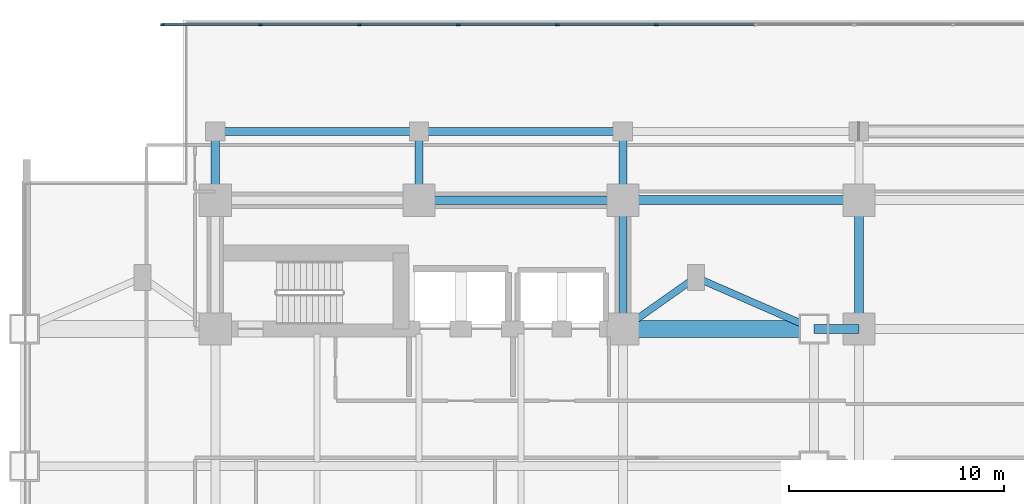
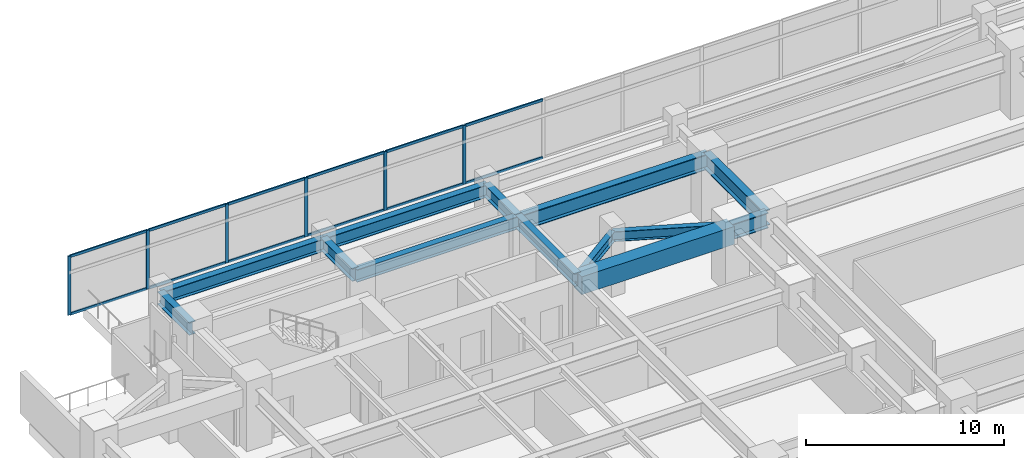
# One storey, part 6 of 27: 18 members, 13 beams, 1 element without a shape of its own.
"""IFC4 building model written with IfcOpenShell, lengths in metres."""

from ifc_helpers import new_model, si_unit, direction, frame, origin, origin_2d, place, context, subcontext, project, spatial, rectangle, i_section, extrude, material, material_profile, profile_set, type_object, element, aggregate, save


model = new_model("IFC4")

# Units and contexts
model_context = context("Model", 3, precision=1e-05, world=origin(), true_north=direction((0.0, 1.0)))
body_context = subcontext(model_context, "Body", "Model", "MODEL_VIEW")
ifc_project = project(units=[si_unit("LENGTHUNIT", "METRE"), si_unit("AREAUNIT", "SQUARE_METRE"), si_unit("VOLUMEUNIT", "CUBIC_METRE"), si_unit("PLANEANGLEUNIT", "RADIAN"), si_unit("MASSUNIT", "GRAM", prefix="KILO")], contexts=[model_context])

# Site, building, storey
site_placement = place(None, origin())
site = spatial("IfcSite", under=ifc_project, at=site_placement, CompositionType="ELEMENT")
building_placement = place(site_placement, origin())
building = spatial("IfcBuilding", under=site, at=building_placement, Name="Mirazonda Arch Towers", CompositionType="ELEMENT")
storey_placement = place(building_placement, frame((0.0, 0.0, 18.10009765625)))
storey = spatial("IfcBuildingStorey", under=building, at=storey_placement, Name="L04", CompositionType="ELEMENT", Elevation=18.10009765625)

# Beams
ifc_material_1 = material(Name="Steel ASTM A992 Grade 50", Category="steel")
ifc_material_profile_1 = material_profile(ifc_material_1, i_section(OverallWidth=0.381103515625, OverallDepth=0.77294921875, WebThickness=0.0166015625, FlangeThickness=0.027099609375, at=origin_2d()), Name="W30X173")
ifc_profile_set_1 = profile_set([ifc_material_profile_1], Name="Steel ASTM A992 Grade 50")
beam_type_1 = type_object("IfcBeamType", Name="BM-EXT-W30X173", PredefinedType="USERDEFINED", material=ifc_profile_set_1)
for number, where, z_axis, x_axis, name in (
    (1, (11.0, 46.800048828125, 3.263427734375), (1.0, 0.0, 0.0), (0.0, 1.0, 0.0), "L04 Floor Beam BM-POD-L04-PN-1"),
    (2, (20.5, 46.800048828125, 3.263427734375), (1.0, 0.0, 0.0), (0.0, 1.0, 0.0), "L04 Floor Beam BM-POD-L04-PN-2"),
):
    element("IfcBeam", number, at=place(storey_placement, frame(where, z_axis=z_axis, x_axis=x_axis)), inside=storey, type_object=beam_type_1, Name=name, ObjectType="GIRDER", PredefinedType="USERDEFINED", context=body_context, shape_type="SweptSolid", body=[
        extrude(i_section(OverallWidth=0.381103515625, OverallDepth=0.77294921875, WebThickness=0.0166015625, FlangeThickness=0.027099609375, at=origin_2d()), origin(), (0.0, 0.0, 1.0), 9.5),
    ])
ifc_material_profile_2 = material_profile(ifc_material_1, i_section(OverallWidth=0.423095703125, OverallDepth=0.947998046875, WebThickness=0.02392578125, FlangeThickness=0.042724609375, at=origin_2d()), Name="W36X302")
ifc_profile_set_2 = profile_set([ifc_material_profile_2], Name="Steel ASTM A992 Grade 50")
beam_type_2 = type_object("IfcBeamType", Name="BM-EXT-W36X302", PredefinedType="USERDEFINED", material=ifc_profile_set_2)
beam_1_placement = place(storey_placement, frame((41.0, 37.60009765625, 3.17578125), z_axis=(0.0, 1.0, 0.0), x_axis=(-1.0, 0.0, 0.0)))
element("IfcBeam", 3, at=beam_1_placement, inside=storey, type_object=beam_type_2, Name="L04 Floor Beam BM-POD-L04-PA-WL3", ObjectType="GIRDER", PredefinedType="USERDEFINED", context=body_context, shape_type="SweptSolid", body=[
    extrude(i_section(OverallWidth=0.423095703125, OverallDepth=0.947998046875, WebThickness=0.02392578125, FlangeThickness=0.042724609375, at=origin_2d()), origin(), (0.0, 0.0, 1.0), 6.0),
])
ifc_material_profile_3 = material_profile(ifc_material_1, i_section(OverallWidth=0.324951171875, OverallDepth=0.615966796875, WebThickness=0.013916015625, FlangeThickness=0.021484375, at=origin_2d()), Name="W24X117")
ifc_profile_set_3 = profile_set([ifc_material_profile_3], Name="Steel ASTM A992 Grade 50")
beam_type_3 = type_object("IfcBeamType", Name="BM-INT-W24X117", PredefinedType="BEAM", material=ifc_profile_set_3)
beam_2_placement = place(storey_placement, frame((33.39990234375, 40.0, 3.341796875), z_axis=(-0.816971114901, -0.576678591087, 0.0), x_axis=(0.576678591087, -0.816971114901, 0.0)))
element("IfcBeam", 4, at=beam_2_placement, inside=storey, type_object=beam_type_3, Name="L04 Floor Beam BM-T1-L04-PL-NE1", PredefinedType="BEAM", context=body_context, shape_type="SweptSolid", body=[
    extrude(i_section(OverallWidth=0.324951171875, OverallDepth=0.615966796875, WebThickness=0.013916015625, FlangeThickness=0.021484375, at=origin_2d()), origin(), (0.0, 0.0, 1.0), 4.16162109375),
])
beam_3_placement = place(storey_placement, frame((33.39990234375, 40.0, 3.341796875), z_axis=(0.916545343703, -0.399930785183, 0.0), x_axis=(0.399930785183, 0.916545343703, 0.0)))
element("IfcBeam", 5, at=beam_3_placement, inside=storey, type_object=beam_type_3, Name="L04 Floor Beam BM-T1-L04-PL-NE2", PredefinedType="BEAM", context=body_context, shape_type="SweptSolid", body=[
    extrude(i_section(OverallWidth=0.324951171875, OverallDepth=0.615966796875, WebThickness=0.013916015625, FlangeThickness=0.021484375, at=origin_2d()), origin(), (0.0, 0.0, 1.0), 6.000732421875),
])
ifc_material_profile_4 = material_profile(ifc_material_1, i_section(OverallWidth=0.381103515625, OverallDepth=0.77294921875, WebThickness=0.0166015625, FlangeThickness=0.027099609375, at=origin_2d()), Name="W30X173")
ifc_profile_set_4 = profile_set([ifc_material_profile_4], Name="Steel ASTM A992 Grade 50")
beam_type_4 = type_object("IfcBeamType", Name="BM-INT-W30X173", PredefinedType="USERDEFINED", material=ifc_profile_set_4)
beam_4_placement = place(storey_placement, frame((20.5, 43.60009765625, 3.263427734375), z_axis=(1.0, 0.0, 0.0), x_axis=(0.0, 1.0, 0.0)))
element("IfcBeam", 6, at=beam_4_placement, inside=storey, type_object=beam_type_4, Name="L04 Floor Beam BM-T1-L04-CN2", ObjectType="GIRDER", PredefinedType="USERDEFINED", context=body_context, shape_type="SweptSolid", body=[
    extrude(i_section(OverallWidth=0.381103515625, OverallDepth=0.77294921875, WebThickness=0.0166015625, FlangeThickness=0.027099609375, at=origin_2d()), origin(), (0.0, 0.0, 1.0), 9.5),
])
beam_5_placement = place(storey_placement, frame((30.0, 37.60009765625, 3.263427734375), z_axis=(0.0, 1.0, 0.0), x_axis=(-1.0, 0.0, 0.0)))
element("IfcBeam", 7, at=beam_5_placement, inside=storey, type_object=beam_type_4, Name="L04 Floor Beam BM-T1-L04-CNE", ObjectType="GIRDER", PredefinedType="USERDEFINED", context=body_context, shape_type="SweptSolid", body=[
    extrude(i_section(OverallWidth=0.381103515625, OverallDepth=0.77294921875, WebThickness=0.0166015625, FlangeThickness=0.027099609375, at=origin_2d()), origin(), (0.0, 0.0, 1.0), 6.0),
])
for number, where, z_axis, x_axis, name in (
    (8, (11.0, 43.60009765625, 3.263427734375), (0.0, 1.0, 0.0), (-1.0, 0.0, 0.0), "L04 Floor Beam BM-POD-L04-PCN-1"),
    (9, (20.5, 43.60009765625, 3.263427734375), (0.0, 1.0, 0.0), (-1.0, 0.0, 0.0), "L04 Floor Beam BM-POD-L04-PCN-2"),
    (10, (30.0, 43.60009765625, 3.263427734375), (0.0, 1.0, 0.0), (-1.0, 0.0, 0.0), "L04 Floor Beam BM-POD-L04-PCN-3"),
):
    element("IfcBeam", number, at=place(storey_placement, frame(where, z_axis=z_axis, x_axis=x_axis)), inside=storey, type_object=beam_type_4, Name=name, ObjectType="GIRDER", PredefinedType="USERDEFINED", context=body_context, shape_type="SweptSolid", body=[
        extrude(i_section(OverallWidth=0.381103515625, OverallDepth=0.77294921875, WebThickness=0.0166015625, FlangeThickness=0.027099609375, at=origin_2d()), origin(), (0.0, 0.0, 1.0), 3.199951171875),
    ])
ifc_material_profile_5 = material_profile(ifc_material_1, i_section(OverallWidth=0.423095703125, OverallDepth=0.947998046875, WebThickness=0.02392578125, FlangeThickness=0.042724609375, at=origin_2d()), Name="W36X302")
ifc_profile_set_5 = profile_set([ifc_material_profile_5], Name="Steel ASTM A992 Grade 50")
beam_type_5 = type_object("IfcBeamType", Name="BM-INT-W36X302", PredefinedType="USERDEFINED", material=ifc_profile_set_5)
beam_6_placement = place(storey_placement, frame((38.89990234375, 37.60009765625, 3.17578125), z_axis=(1.0, 0.0, 0.0), x_axis=(0.0, 1.0, 0.0)))
element("IfcBeam", 11, at=beam_6_placement, inside=storey, type_object=beam_type_5, Name="L04 Floor Beam BM-POD-L04-PA-W3", ObjectType="GIRDER", PredefinedType="USERDEFINED", context=body_context, shape_type="SweptSolid", body=[
    extrude(i_section(OverallWidth=0.423095703125, OverallDepth=0.947998046875, WebThickness=0.02392578125, FlangeThickness=0.042724609375, at=origin_2d()), origin(), (0.0, 0.0, 1.0), 2.10009765625),
])
beam_7_placement = place(storey_placement, frame((30.0, 43.60009765625, 3.17578125), z_axis=(1.0, 0.0, 0.0), x_axis=(0.0, 1.0, 0.0)))
element("IfcBeam", 12, at=beam_7_placement, inside=storey, type_object=beam_type_5, Name="L04 Floor Beam BM-POD-L04-PA-W4", ObjectType="GIRDER", PredefinedType="USERDEFINED", context=body_context, shape_type="SweptSolid", body=[
    extrude(i_section(OverallWidth=0.423095703125, OverallDepth=0.947998046875, WebThickness=0.02392578125, FlangeThickness=0.042724609375, at=origin_2d()), origin(), (0.0, 0.0, 1.0), 11.0),
])
ifc_material_2 = material(Name="Concrete C60/75", Category="concrete")
ifc_material_profile_6 = material_profile(ifc_material_2, rectangle(XDim=0.800048828125, YDim=1.10009765625, at=origin_2d()), Name="RCCB800x1100")
ifc_profile_set_6 = profile_set([ifc_material_profile_6], Name="Concrete C60/75")
beam_type_6 = type_object("IfcBeamType", Name="CB-INT-RCCB800x1100", PredefinedType="SPANDREL", material=ifc_profile_set_6)
beam_8_placement = place(storey_placement, frame((30.0, 37.60009765625, 3.099853515625), z_axis=(1.0, 0.0, 0.0), x_axis=(0.0, 1.0, 0.0)))
element("IfcBeam", 13, at=beam_8_placement, inside=storey, type_object=beam_type_6, Name="L04 Floor Beam CB-T1-L04-NE", PredefinedType="SPANDREL", context=body_context, shape_type="SweptSolid", body=[
    extrude(rectangle(XDim=0.800048828125, YDim=1.10009765625, at=origin_2d()), origin(), (0.0, 0.0, 1.0), 8.89990234375),
])

# Curtain wall, members
ifc_material_3 = material(Name="Anodised Aluminium and Low-E Glass", Category="aluminium")
curtain_wall_type = type_object("IfcCurtainWallType", Name="CW-POD-STORE", PredefinedType="NOTDEFINED", material=ifc_material_3)
curtain_wall_placement = place(storey_placement, origin())
curtain_wall = element("IfcCurtainWall", 14, at=curtain_wall_placement, inside=storey, type_object=curtain_wall_type, Name="L04 Curtain Wall CW-L04-N1", PredefinedType="NOTDEFINED")
ifc_material_4 = material(Name="Anodised Aluminium Alloy", Category="aluminium")
ifc_material_profile_7 = material_profile(ifc_material_4, rectangle(XDim=0.080078125, YDim=0.179931640625, at=origin_2d()), Name="ALU-MULL-80x180")
ifc_profile_set_7 = profile_set([ifc_material_profile_7], Name="Anodised Aluminium Alloy")
member_type_1 = type_object("IfcMemberType", Name="MULL-CW-POD-STORE", PredefinedType="MULLION", material=ifc_profile_set_7)
member_1_placement = place(storey_placement, frame((8.5400390625, 51.780029296875, 0.0), z_axis=(0.0, 0.0, 1.0), x_axis=(0.0, 1.0, 0.0)))
member_1 = element("IfcMember", 15, at=member_1_placement, type_object=member_type_1, Name="CW-102 mullion 1", PredefinedType="MULLION", context=body_context, shape_type="SweptSolid", body=[
    extrude(rectangle(XDim=0.080078125, YDim=0.179931640625, at=origin_2d()), origin(), (0.0, 0.0, 1.0), 3.6298828125),
])
member_2_placement = place(storey_placement, frame((13.111083984375, 51.780029296875, 0.0), z_axis=(0.0, 0.0, 1.0), x_axis=(0.0, 1.0, 0.0)))
member_2 = element("IfcMember", 16, at=member_2_placement, type_object=member_type_1, Name="CW-102 mullion 2", PredefinedType="MULLION", context=body_context, shape_type="SweptSolid", body=[
    extrude(rectangle(XDim=0.080078125, YDim=0.179931640625, at=origin_2d()), origin(), (0.0, 0.0, 1.0), 3.6298828125),
])
member_3_placement = place(storey_placement, frame((17.72216796875, 51.780029296875, 0.0), z_axis=(0.0, 0.0, 1.0), x_axis=(0.0, 1.0, 0.0)))
member_3 = element("IfcMember", 17, at=member_3_placement, type_object=member_type_1, Name="CW-102 mullion 3", PredefinedType="MULLION", context=body_context, shape_type="SweptSolid", body=[
    extrude(rectangle(XDim=0.080078125, YDim=0.179931640625, at=origin_2d()), origin(), (0.0, 0.0, 1.0), 3.6298828125),
])
member_4_placement = place(storey_placement, frame((22.333251953125, 51.780029296875, 0.0), z_axis=(0.0, 0.0, 1.0), x_axis=(0.0, 1.0, 0.0)))
member_4 = element("IfcMember", 18, at=member_4_placement, type_object=member_type_1, Name="CW-102 mullion 4", PredefinedType="MULLION", context=body_context, shape_type="SweptSolid", body=[
    extrude(rectangle(XDim=0.080078125, YDim=0.179931640625, at=origin_2d()), origin(), (0.0, 0.0, 1.0), 3.6298828125),
])
member_5_placement = place(storey_placement, frame((26.9443359375, 51.780029296875, 0.0), z_axis=(0.0, 0.0, 1.0), x_axis=(0.0, 1.0, 0.0)))
member_5 = element("IfcMember", 19, at=member_5_placement, type_object=member_type_1, Name="CW-102 mullion 5", PredefinedType="MULLION", context=body_context, shape_type="SweptSolid", body=[
    extrude(rectangle(XDim=0.080078125, YDim=0.179931640625, at=origin_2d()), origin(), (0.0, 0.0, 1.0), 3.6298828125),
])
member_6_placement = place(storey_placement, frame((31.5556640625, 51.780029296875, 0.0), z_axis=(0.0, 0.0, 1.0), x_axis=(0.0, 1.0, 0.0)))
member_6 = element("IfcMember", 20, at=member_6_placement, type_object=member_type_1, Name="CW-102 mullion 6", PredefinedType="MULLION", context=body_context, shape_type="SweptSolid", body=[
    extrude(rectangle(XDim=0.080078125, YDim=0.179931640625, at=origin_2d()), origin(), (0.0, 0.0, 1.0), 3.6298828125),
])
ifc_material_profile_8 = material_profile(ifc_material_4, rectangle(XDim=0.080078125, YDim=0.159912109375, at=origin_2d()), Name="ALU-TRAN-80x160")
ifc_profile_set_8 = profile_set([ifc_material_profile_8], Name="Anodised Aluminium Alloy")
member_type_2 = type_object("IfcMemberType", Name="TRAN-CW-POD-STORE", PredefinedType="USERDEFINED", material=ifc_profile_set_8)
member_7_placement = place(storey_placement, frame((8.580078125, 51.780029296875, 0.039794921875), z_axis=(1.0, 0.0, 0.0), x_axis=(0.0, 1.0, 0.0)))
member_7 = element("IfcMember", 21, at=member_7_placement, type_object=member_type_2, Name="CW-102 transom 1.1", ObjectType="TRANSOM", PredefinedType="USERDEFINED", context=body_context, shape_type="SweptSolid", body=[
    extrude(rectangle(XDim=0.080078125, YDim=0.159912109375, at=origin_2d()), origin(), (0.0, 0.0, 1.0), 4.490966796875),
])
member_8_placement = place(storey_placement, frame((8.580078125, 51.780029296875, 3.58984375), z_axis=(1.0, 0.0, 0.0), x_axis=(0.0, 1.0, 0.0)))
member_8 = element("IfcMember", 22, at=member_8_placement, type_object=member_type_2, Name="CW-102 transom 1.2", ObjectType="TRANSOM", PredefinedType="USERDEFINED", context=body_context, shape_type="SweptSolid", body=[
    extrude(rectangle(XDim=0.080078125, YDim=0.159912109375, at=origin_2d()), origin(), (0.0, 0.0, 1.0), 4.490966796875),
])
member_9_placement = place(storey_placement, frame((13.151123046875, 51.780029296875, 0.039794921875), z_axis=(1.0, 0.0, 0.0), x_axis=(0.0, 1.0, 0.0)))
member_9 = element("IfcMember", 23, at=member_9_placement, type_object=member_type_2, Name="CW-102 transom 2.1", ObjectType="TRANSOM", PredefinedType="USERDEFINED", context=body_context, shape_type="SweptSolid", body=[
    extrude(rectangle(XDim=0.080078125, YDim=0.159912109375, at=origin_2d()), origin(), (0.0, 0.0, 1.0), 4.531005859375),
])
member_10_placement = place(storey_placement, frame((13.151123046875, 51.780029296875, 3.58984375), z_axis=(1.0, 0.0, 0.0), x_axis=(0.0, 1.0, 0.0)))
member_10 = element("IfcMember", 24, at=member_10_placement, type_object=member_type_2, Name="CW-102 transom 2.2", ObjectType="TRANSOM", PredefinedType="USERDEFINED", context=body_context, shape_type="SweptSolid", body=[
    extrude(rectangle(XDim=0.080078125, YDim=0.159912109375, at=origin_2d()), origin(), (0.0, 0.0, 1.0), 4.531005859375),
])
member_11_placement = place(storey_placement, frame((17.76220703125, 51.780029296875, 0.039794921875), z_axis=(1.0, 0.0, 0.0), x_axis=(0.0, 1.0, 0.0)))
member_11 = element("IfcMember", 25, at=member_11_placement, type_object=member_type_2, Name="CW-102 transom 3.1", ObjectType="TRANSOM", PredefinedType="USERDEFINED", context=body_context, shape_type="SweptSolid", body=[
    extrude(rectangle(XDim=0.080078125, YDim=0.159912109375, at=origin_2d()), origin(), (0.0, 0.0, 1.0), 4.531005859375),
])
member_12_placement = place(storey_placement, frame((17.76220703125, 51.780029296875, 3.58984375), z_axis=(1.0, 0.0, 0.0), x_axis=(0.0, 1.0, 0.0)))
member_12 = element("IfcMember", 26, at=member_12_placement, type_object=member_type_2, Name="CW-102 transom 3.2", ObjectType="TRANSOM", PredefinedType="USERDEFINED", context=body_context, shape_type="SweptSolid", body=[
    extrude(rectangle(XDim=0.080078125, YDim=0.159912109375, at=origin_2d()), origin(), (0.0, 0.0, 1.0), 4.531005859375),
])
member_13_placement = place(storey_placement, frame((22.373291015625, 51.780029296875, 0.039794921875), z_axis=(1.0, 0.0, 0.0), x_axis=(0.0, 1.0, 0.0)))
member_13 = element("IfcMember", 27, at=member_13_placement, type_object=member_type_2, Name="CW-102 transom 4.1", ObjectType="TRANSOM", PredefinedType="USERDEFINED", context=body_context, shape_type="SweptSolid", body=[
    extrude(rectangle(XDim=0.080078125, YDim=0.159912109375, at=origin_2d()), origin(), (0.0, 0.0, 1.0), 4.53125),
])
member_14_placement = place(storey_placement, frame((22.373291015625, 51.780029296875, 3.58984375), z_axis=(1.0, 0.0, 0.0), x_axis=(0.0, 1.0, 0.0)))
member_14 = element("IfcMember", 28, at=member_14_placement, type_object=member_type_2, Name="CW-102 transom 4.2", ObjectType="TRANSOM", PredefinedType="USERDEFINED", context=body_context, shape_type="SweptSolid", body=[
    extrude(rectangle(XDim=0.080078125, YDim=0.159912109375, at=origin_2d()), origin(), (0.0, 0.0, 1.0), 4.53125),
])
member_15_placement = place(storey_placement, frame((26.984375, 51.780029296875, 0.039794921875), z_axis=(1.0, 0.0, 0.0), x_axis=(0.0, 1.0, 0.0)))
member_15 = element("IfcMember", 29, at=member_15_placement, type_object=member_type_2, Name="CW-102 transom 5.1", ObjectType="TRANSOM", PredefinedType="USERDEFINED", context=body_context, shape_type="SweptSolid", body=[
    extrude(rectangle(XDim=0.080078125, YDim=0.159912109375, at=origin_2d()), origin(), (0.0, 0.0, 1.0), 4.53125),
])
member_16_placement = place(storey_placement, frame((26.984375, 51.780029296875, 3.58984375), z_axis=(1.0, 0.0, 0.0), x_axis=(0.0, 1.0, 0.0)))
member_16 = element("IfcMember", 30, at=member_16_placement, type_object=member_type_2, Name="CW-102 transom 5.2", ObjectType="TRANSOM", PredefinedType="USERDEFINED", context=body_context, shape_type="SweptSolid", body=[
    extrude(rectangle(XDim=0.080078125, YDim=0.159912109375, at=origin_2d()), origin(), (0.0, 0.0, 1.0), 4.53125),
])
member_17_placement = place(storey_placement, frame((31.595458984375, 51.780029296875, 0.039794921875), z_axis=(1.0, 0.0, 0.0), x_axis=(0.0, 1.0, 0.0)))
member_17 = element("IfcMember", 31, at=member_17_placement, type_object=member_type_2, Name="CW-102 transom 6.1", ObjectType="TRANSOM", PredefinedType="USERDEFINED", context=body_context, shape_type="SweptSolid", body=[
    extrude(rectangle(XDim=0.080078125, YDim=0.159912109375, at=origin_2d()), origin(), (0.0, 0.0, 1.0), 4.53125),
])
member_18_placement = place(storey_placement, frame((31.595458984375, 51.780029296875, 3.58984375), z_axis=(1.0, 0.0, 0.0), x_axis=(0.0, 1.0, 0.0)))
member_18 = element("IfcMember", 32, at=member_18_placement, type_object=member_type_2, Name="CW-102 transom 6.2", ObjectType="TRANSOM", PredefinedType="USERDEFINED", context=body_context, shape_type="SweptSolid", body=[
    extrude(rectangle(XDim=0.080078125, YDim=0.159912109375, at=origin_2d()), origin(), (0.0, 0.0, 1.0), 4.53125),
])
aggregate(curtain_wall, [member_1, member_2, member_3, member_4, member_5, member_6, member_7, member_8, member_9, member_10, member_11, member_12, member_13, member_14, member_15, member_16, member_17, member_18])

save(model, "model.ifc")
